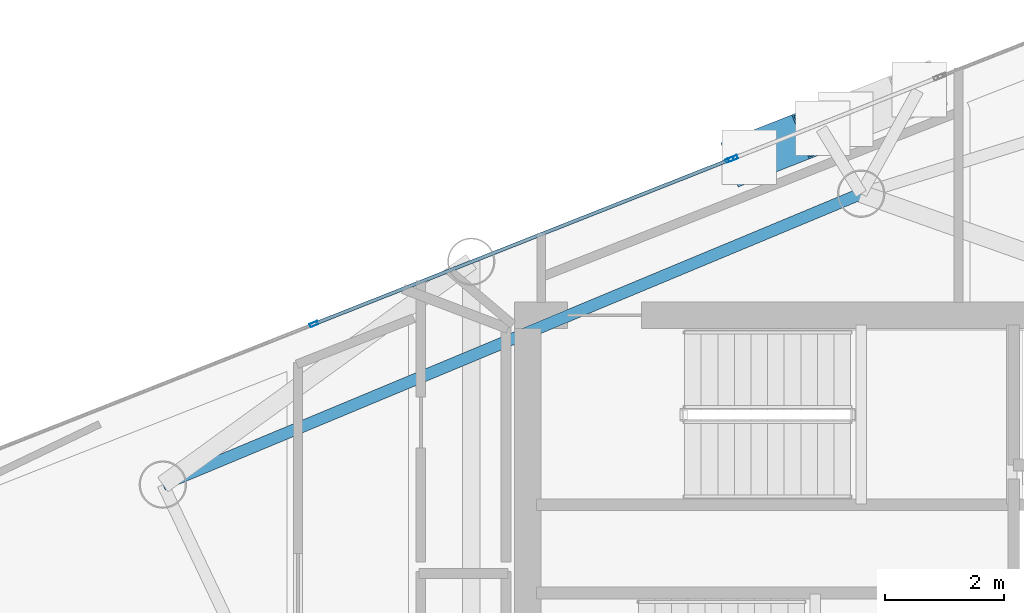
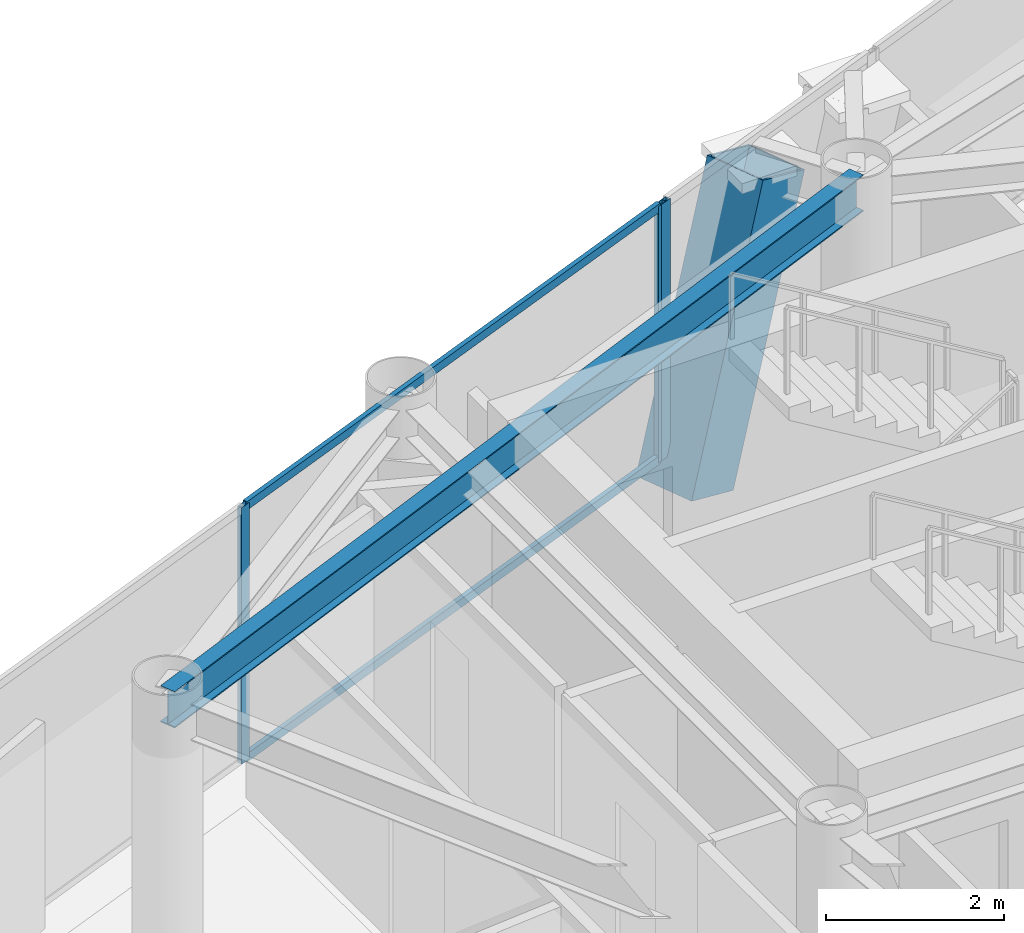
# One storey, part 9 of 19: 6 members, 1 beam, 2 elements without a shape of their own.
"""IFC4 building model written with IfcOpenShell, lengths in metres."""

import ifcopenshell
import ifcopenshell.guid

model = None  # the IFC model being written
_history = None  # IfcOwnerHistory: only IFC2X3 demands one
_inside = {}  # id of a spatial element -> (the spatial element, [elements in it])
_under = {}  # id of a project, library or spatial element -> (it, [spatial elements below it])
_declared = {}  # id of a project -> (the project, [libraries it declares])
_typed = {}  # id of a type object -> (the type object, [elements of that type])
_made_of = {}  # id of a material, layer set ... -> (it, [elements and type objects made of it])


def new_model(schema):
    """Start an empty IFC model of exactly this schema.

    Asked for "IFC4X3", IfcOpenShell would pick the latest addendum, in which some entities
    have other attributes; the version numbers below select the first issue.
    IFC2X3 requires an IfcOwnerHistory on every rooted entity: one is made here for all.
    """
    global model, _history
    if schema == "IFC4X3":
        model = ifcopenshell.file(schema_version=(4, 3, 0, 0))
    else:
        model = ifcopenshell.file(schema=schema)
    _inside.clear()
    _under.clear()
    _declared.clear()
    _typed.clear()
    _made_of.clear()
    _history = None
    if model.schema == "IFC2X3":
        org = make("IfcOrganization", Name="unknown")
        user = make(
            "IfcPersonAndOrganization",
            ThePerson=make("IfcPerson", FamilyName="unknown"),
            TheOrganization=org,
        )
        app = make(
            "IfcApplication",
            ApplicationDeveloper=org,
            Version="unknown",
            ApplicationFullName="unknown",
            ApplicationIdentifier="unknown",
        )
        _history = make(
            "IfcOwnerHistory",
            OwningUser=user,
            OwningApplication=app,
            ChangeAction="ADDED",
            CreationDate=0,
        )
    return model


def make(cls, **values):
    """One entity of the class cls with the attributes given. An attribute that is None is left unset."""
    return model.create_entity(
        cls, **{name: value for name, value in values.items() if value is not None}
    )


def rooted(cls, **values):
    """An entity with a GlobalId (a new one), such as an element, a storey or a relation."""
    return make(cls, GlobalId=ifcopenshell.guid.new(), OwnerHistory=_history, **values)


def si_unit(unit_type, name, prefix=None):
    """IfcSIUnit, for example si_unit("LENGTHUNIT", "METRE", prefix="MILLI")."""
    return make("IfcSIUnit", UnitType=unit_type, Prefix=prefix, Name=name)


def assignment(units):
    """IfcUnitAssignment: the units of a project."""
    return None if units is None else make("IfcUnitAssignment", Units=units)


def point(xyz):
    """IfcCartesianPoint."""
    return None if xyz is None else make("IfcCartesianPoint", Coordinates=xyz)


def direction(xyz):
    """IfcDirection."""
    return None if xyz is None else make("IfcDirection", DirectionRatios=xyz)


def frame(location, z_axis=None, x_axis=None):
    """IfcAxis2Placement3D, a coordinate frame: its origin and axes. An axis left out is left unset."""
    return make(
        "IfcAxis2Placement3D",
        Location=point(location),
        Axis=direction(z_axis),
        RefDirection=direction(x_axis),
    )


def frame_2d(location, x_axis=None):
    """IfcAxis2Placement2D, a coordinate frame in the plane: its origin and x axis."""
    return make(
        "IfcAxis2Placement2D", Location=point(location), RefDirection=direction(x_axis)
    )


def origin():
    """The frame at (0, 0, 0) with its axes left unset."""
    return frame((0.0, 0.0, 0.0))


def origin_2d():
    """The frame at (0, 0) in the plane with its x axis left unset."""
    return frame_2d((0.0, 0.0))


def place(relative_to, where):
    """IfcLocalPlacement: puts the frame where relative to a parent placement (None: the world)."""
    return make(
        "IfcLocalPlacement", PlacementRelTo=relative_to, RelativePlacement=where
    )


def context(
    kind, dimensions, precision=None, world=None, true_north=None, identifier=None
):
    """IfcGeometricRepresentationContext, for example the 3D "Model" context."""
    return make(
        "IfcGeometricRepresentationContext",
        ContextIdentifier=identifier,
        ContextType=kind,
        CoordinateSpaceDimension=dimensions,
        Precision=precision,
        WorldCoordinateSystem=world,
        TrueNorth=true_north,
    )


def subcontext(parent, identifier, kind, view, scale=None):
    """IfcGeometricRepresentationSubContext, for example "Body" below "Model"."""
    return make(
        "IfcGeometricRepresentationSubContext",
        ContextIdentifier=identifier,
        ContextType=kind,
        ParentContext=parent,
        TargetScale=scale,
        TargetView=view,
    )


def project(units=None, contexts=None):
    """IfcProject with its units and contexts."""
    return rooted(
        "IfcProject",
        Name="project",
        RepresentationContexts=contexts,
        UnitsInContext=assignment(units),
    )


def spatial(cls, under=None, at=None, **own):
    """A site, building, storey or space (cls), placed at a placement, below another one or the project."""
    s = rooted(cls, ObjectPlacement=at, **own)
    if under is not None:
        _under.setdefault(under.id(), (under, []))[1].append(s)
    return s


def profile(cls, at=None, kind="AREA", **sizes):
    """A parametric profile (cls). Its sizes go by their IFC names, for example OverallWidth=200.0."""
    return make(cls, ProfileType=kind, Position=at, **sizes)


def hollow_rectangle(**sizes):
    """IfcRectangleHollowProfileDef."""
    return profile("IfcRectangleHollowProfileDef", **sizes)


def i_section(**sizes):
    """IfcIShapeProfileDef."""
    return profile("IfcIShapeProfileDef", **sizes)


def extrude(swept, where, along, depth):
    """IfcExtrudedAreaSolid: the profile swept, set in the frame where, extruded along a direction by depth."""
    return make(
        "IfcExtrudedAreaSolid",
        SweptArea=swept,
        Position=where,
        ExtrudedDirection=direction(along),
        Depth=depth,
    )


def shape(context_of_items, identifier, shape_type, items):
    """IfcShapeRepresentation: the items that make up one representation, for example the "Body"."""
    return make(
        "IfcShapeRepresentation",
        ContextOfItems=context_of_items,
        RepresentationIdentifier=identifier,
        RepresentationType=shape_type,
        Items=items,
    )


def material(Name=None, Category=None):
    """IfcMaterial."""
    return make("IfcMaterial", Name=Name, Category=Category)


def layer(
    of_material, thickness, ventilated=None, Name=None, Category=None, Priority=None
):
    """IfcMaterialLayer: one layer of a wall or slab, of a material (None: an air gap)."""
    return make(
        "IfcMaterialLayer",
        Material=of_material,
        LayerThickness=thickness,
        IsVentilated=ventilated,
        Name=Name,
        Category=Category,
        Priority=Priority,
    )


def layer_set(layers, Name=None):
    """IfcMaterialLayerSet."""
    return make("IfcMaterialLayerSet", MaterialLayers=layers, LayerSetName=Name)


def material_profile(
    of_material, cross_section, Name=None, Category=None, Priority=None
):
    """IfcMaterialProfile: a cross section and its material."""
    return make(
        "IfcMaterialProfile",
        Name=Name,
        Material=of_material,
        Profile=cross_section,
        Priority=Priority,
        Category=Category,
    )


def profile_set(profiles, Name=None, composite=None):
    """IfcMaterialProfileSet."""
    return make(
        "IfcMaterialProfileSet",
        Name=Name,
        MaterialProfiles=profiles,
        CompositeProfile=composite,
    )


def made_of(thing, what):
    """Note that an element or type object is made of a material, layer set ...; save() writes the relation."""
    if what is not None:
        _made_of.setdefault(what.id(), (what, []))[1].append(thing)
    return thing


def type_object(cls, material=None, **own):
    """A type object (cls), such as IfcWallType, which elements share."""
    return made_of(rooted(cls, **own), material)


def element(
    cls,
    number,
    at=None,
    inside=None,
    cuts=None,
    type_object=None,
    material=None,
    context=None,
    identifier="Body",
    shape_type=None,
    held_by="IfcProductDefinitionShape",
    body=None,
    shapes=None,
    **own,
):
    """One element of the class cls, such as IfcWall. Its Tag is "e" and its number.

    at: its placement. inside: the storey or other place that contains it. cuts: it is an
    opening in that element (IfcRelVoidsElement). A single representation is given by context,
    identifier, shape_type and body (its items); several are given by shapes. held_by: the class
    of the entity that holds the representations. save() writes the other relations.
    """
    e = rooted(cls, Tag="e%d" % number, ObjectPlacement=at, **own)
    if body is not None:
        shapes = [shape(context, identifier, shape_type, body)]
    if shapes is not None:
        e.Representation = make(held_by, Representations=shapes)
    if inside is not None:
        _inside.setdefault(inside.id(), (inside, []))[1].append(e)
    if cuts is not None:
        rooted(
            "IfcRelVoidsElement", RelatingBuildingElement=cuts, RelatedOpeningElement=e
        )
    if type_object is not None:
        _typed.setdefault(type_object.id(), (type_object, []))[1].append(e)
    return made_of(e, material)


def aggregate(whole, parts):
    """IfcRelAggregates: a whole, such as a stair, and the parts it consists of."""
    return rooted("IfcRelAggregates", RelatingObject=whole, RelatedObjects=parts)


def save(model, path):
    """Write the relations noted so far, then the file.

    IfcRelAggregates (storeys below a building ...), IfcRelContainedInSpatialStructure (elements
    in a storey), IfcRelDefinesByType, IfcRelAssociatesMaterial and IfcRelDeclares: one each for
    every whole, place, type object, material and project.
    """
    for whole, parts in _under.values():
        aggregate(whole, parts)
    for where, things in _inside.values():
        rooted(
            "IfcRelContainedInSpatialStructure",
            RelatedElements=things,
            RelatingStructure=where,
        )
    for kind, things in _typed.values():
        rooted("IfcRelDefinesByType", RelatedObjects=things, RelatingType=kind)
    for what, things in _made_of.values():
        rooted("IfcRelAssociatesMaterial", RelatedObjects=things, RelatingMaterial=what)
    for by, libraries in _declared.values():
        rooted("IfcRelDeclares", RelatingContext=by, RelatedDefinitions=libraries)
    model.write(path)


model = new_model("IFC4")

# Units and contexts
model_context = context("Model", 3, precision=1e-05, world=origin(), true_north=direction((0.0, 1.0)))
body_context = subcontext(model_context, "Body", "Model", "MODEL_VIEW")
ifc_project = project(units=[si_unit("LENGTHUNIT", "METRE"), si_unit("AREAUNIT", "SQUARE_METRE"), si_unit("VOLUMEUNIT", "CUBIC_METRE"), si_unit("PLANEANGLEUNIT", "RADIAN"), si_unit("MASSUNIT", "GRAM", prefix="KILO")], contexts=[model_context])

# Site, building, storey
site_placement = place(None, origin())
site = spatial("IfcSite", under=ifc_project, at=site_placement, CompositionType="ELEMENT")
building_placement = place(site_placement, origin())
building = spatial("IfcBuilding", under=site, at=building_placement, Name="Qianvela Tower", CompositionType="ELEMENT")
storey_placement = place(building_placement, frame((0.0, 0.0, 344.39990234375)))
storey = spatial("IfcBuildingStorey", under=building, at=storey_placement, Name="L89", CompositionType="ELEMENT", Elevation=344.39990234375)

# Beam
ifc_material_1 = material(Name="Steel Q355B", Category="steel")
ifc_material_profile_1 = material_profile(ifc_material_1, i_section(OverallWidth=0.199951171875, OverallDepth=0.5, WebThickness=0.010009765625, FlangeThickness=0.01611328125, at=origin_2d()), Name="HN500x200x10x16")
ifc_profile_set_1 = profile_set([ifc_material_profile_1], Name="Steel Q355B")
beam_type = type_object("IfcBeamType", Name="BM-HN500-GIRD", PredefinedType="BEAM", material=ifc_profile_set_1)
beam_placement = place(storey_placement, frame((35.177001953125, 34.695068359375, 3.26806640625), z_axis=(-0.923108058734, -0.384540650517, 0.0), x_axis=(0.384540650517, -0.923108058734, 0.0)))
element("IfcBeam", 1, at=beam_placement, inside=storey, type_object=beam_type, Name="L89 Perimeter Ring Spandrel Girder 2", PredefinedType="BEAM", context=body_context, shape_type="SweptSolid", body=[
    extrude(i_section(OverallWidth=0.199951171875, OverallDepth=0.5, WebThickness=0.010009765625, FlangeThickness=0.01611328125, at=origin_2d()), origin(), (0.0, 0.0, 1.0), 12.758056640625),
])

# Curtain wall, member
ifc_material_2 = material(Name="Anodised Architectural Aluminium and Insulated Spandrel Panel", Category="aluminium")
ifc_layer_1 = layer(ifc_material_2, 0.179931640625)
ifc_layer_set_1 = layer_set([ifc_layer_1], Name="Anodised Architectural Aluminium and Insulated Spandrel Panel")
curtain_wall_type_1 = type_object("IfcCurtainWallType", Name="CW-BRACEBAY", PredefinedType="USERDEFINED", material=ifc_layer_set_1)
curtain_wall_1_placement = place(storey_placement, origin())
curtain_wall_1 = element("IfcCurtainWall", 2, at=curtain_wall_1_placement, inside=storey, type_object=curtain_wall_type_1, Name="L89 CW-BRACEBAY Curtain Wall 02B", ObjectType="CURTAIN_WALL_SYSTEM", PredefinedType="USERDEFINED")
ifc_material_3 = material(Name="Anodised Architectural Aluminium 6063-T6", Category="aluminium")
ifc_material_profile_2 = material_profile(ifc_material_3, hollow_rectangle(XDim=0.06494140625, YDim=0.159912109375, WallThickness=0.0048828125, at=origin_2d()), Name="ALU-MULL-65x160")
ifc_profile_set_2 = profile_set([ifc_material_profile_2], Name="Anodised Architectural Aluminium 6063-T6")
member_type_1 = type_object("IfcMemberType", Name="CW-BRACEBAY-MULL", PredefinedType="MULLION", material=ifc_profile_set_2)
member_1_placement = place(storey_placement, frame((33.016845703125, 35.289306640625, 0.0), z_axis=(0.0, 0.0, 1.0), x_axis=(0.367602637508, -0.929982957315, 0.0)))
member_1 = element("IfcMember", 3, at=member_1_placement, type_object=member_type_1, Name="CW-9 mullion 2", PredefinedType="MULLION", context=body_context, shape_type="SweptSolid", body=[
    extrude(hollow_rectangle(XDim=0.06494140625, YDim=0.159912109375, WallThickness=0.0048828125, at=origin_2d()), origin(), (0.0, 0.0, 1.0), 3.52001953125),
])
aggregate(curtain_wall_1, [member_1])

# Curtain wall, members
ifc_material_4 = material(Name="Anodised Architectural Aluminium and Low-E Glass", Category="aluminium")
ifc_layer_2 = layer(ifc_material_4, 0.14990234375)
ifc_layer_set_2 = layer_set([ifc_layer_2], Name="Anodised Architectural Aluminium and Low-E Glass")
curtain_wall_type_2 = type_object("IfcCurtainWallType", Name="CW-COLIV-Z78", PredefinedType="USERDEFINED", material=ifc_layer_set_2)
curtain_wall_2_placement = place(storey_placement, origin())
curtain_wall_2 = element("IfcCurtainWall", 4, at=curtain_wall_2_placement, inside=storey, type_object=curtain_wall_type_2, Name="L89 CW-COLIV-Z78 Curtain Wall 02C", ObjectType="CURTAIN_WALL_SYSTEM", PredefinedType="USERDEFINED")
ifc_material_5 = material(Name="Anodised Architectural Aluminium 6063-T6", Category="aluminium")
ifc_material_profile_3 = material_profile(ifc_material_5, hollow_rectangle(XDim=0.06005859375, YDim=0.139892578125, WallThickness=0.00439453125, at=origin_2d()), Name="ALU-MULL-60x140")
ifc_profile_set_3 = profile_set([ifc_material_profile_3], Name="Anodised Architectural Aluminium 6063-T6")
member_type_2 = type_object("IfcMemberType", Name="CW-COLIV-Z78-MULL", PredefinedType="MULLION", material=ifc_profile_set_3)
member_2_placement = place(storey_placement, frame((32.958740234375, 35.266357421875, 0.0), z_axis=(0.0, 0.0, 1.0), x_axis=(0.367588481011, -0.929988552955, 0.0)))
member_2 = element("IfcMember", 5, at=member_2_placement, type_object=member_type_2, Name="CW-6 mullion 1", PredefinedType="MULLION", context=body_context, shape_type="SweptSolid", body=[
    extrude(hollow_rectangle(XDim=0.06005859375, YDim=0.139892578125, WallThickness=0.00439453125, at=origin_2d()), origin(), (0.0, 0.0, 1.0), 3.52001953125),
])
member_3_placement = place(storey_placement, frame((25.94677734375, 32.494873046875, 0.0), z_axis=(0.0, 0.0, 1.0), x_axis=(0.367588481011, -0.929988552955, 0.0)))
member_3 = element("IfcMember", 6, at=member_3_placement, type_object=member_type_2, Name="CW-6 mullion 2", PredefinedType="MULLION", context=body_context, shape_type="SweptSolid", body=[
    extrude(hollow_rectangle(XDim=0.06005859375, YDim=0.139892578125, WallThickness=0.00439453125, at=origin_2d()), origin(), (0.0, 0.0, 1.0), 3.52001953125),
])
ifc_material_6 = material(Name="Anodised Architectural Aluminium 6063-T6", Category="aluminium")
ifc_material_profile_4 = material_profile(ifc_material_6, hollow_rectangle(XDim=0.06005859375, YDim=0.114990234375, WallThickness=0.00390625, at=origin_2d()), Name="ALU-TRAN-60x115")
ifc_profile_set_4 = profile_set([ifc_material_profile_4], Name="Anodised Architectural Aluminium 6063-T6")
member_type_3 = type_object("IfcMemberType", Name="CW-COLIV-Z78-TRAN", PredefinedType="USERDEFINED", material=ifc_profile_set_4)
member_4_placement = place(storey_placement, frame((32.930908203125, 35.25537109375, 0.030029296875), z_axis=(-0.929990562649, -0.367583396503, 0.0), x_axis=(0.367583396503, -0.929990562649, 0.0)))
member_4 = element("IfcMember", 7, at=member_4_placement, type_object=member_type_3, Name="CW-6 transom 1.1", ObjectType="TRANSOM", PredefinedType="USERDEFINED", context=body_context, shape_type="SweptSolid", body=[
    extrude(hollow_rectangle(XDim=0.06005859375, YDim=0.114990234375, WallThickness=0.00390625, at=origin_2d()), origin(), (0.0, 0.0, 1.0), 7.47998046875),
])
member_5_placement = place(storey_placement, frame((32.930908203125, 35.25537109375, 3.489990234375), z_axis=(-0.929990562649, -0.367583396503, 0.0), x_axis=(0.367583396503, -0.929990562649, 0.0)))
member_5 = element("IfcMember", 8, at=member_5_placement, type_object=member_type_3, Name="CW-6 transom 1.2", ObjectType="TRANSOM", PredefinedType="USERDEFINED", context=body_context, shape_type="SweptSolid", body=[
    extrude(hollow_rectangle(XDim=0.06005859375, YDim=0.114990234375, WallThickness=0.00390625, at=origin_2d()), origin(), (0.0, 0.0, 1.0), 7.47998046875),
])
aggregate(curtain_wall_2, [member_2, member_3, member_4, member_5])

# Member
ifc_material_7 = material(Name="Steel Q420GJC", Category="steel")
ifc_material_profile_5 = material_profile(ifc_material_7, hollow_rectangle(XDim=0.800048828125, YDim=0.800048828125, WallThickness=0.028076171875, at=origin_2d()), Name="MBOX-800x800x28")
ifc_profile_set_5 = profile_set([ifc_material_profile_5], Name="Steel Q420GJC")
member_type_4 = type_object("IfcMemberType", Name="MBR-MBRACE-800", PredefinedType="BRACE", material=ifc_profile_set_5)
member_6_placement = place(storey_placement, frame((33.306396484375, 35.31787109375, -0.48193359375), z_axis=(0.306284613194, 0.121055940487, 0.944211414352), x_axis=(-0.367571377785, 0.929995313017, 0.0)))
element("IfcMember", 9, at=member_6_placement, inside=storey, type_object=member_type_4, Name="L89 Tier 15 Exterior Mega-Brace F1B", PredefinedType="BRACE", context=body_context, shape_type="SweptSolid", body=[
    extrude(hollow_rectangle(XDim=0.800048828125, YDim=0.800048828125, WallThickness=0.028076171875, at=origin_2d()), origin(), (0.0, 0.0, 1.0), 3.91845703125),
])

save(model, "model.ifc")
